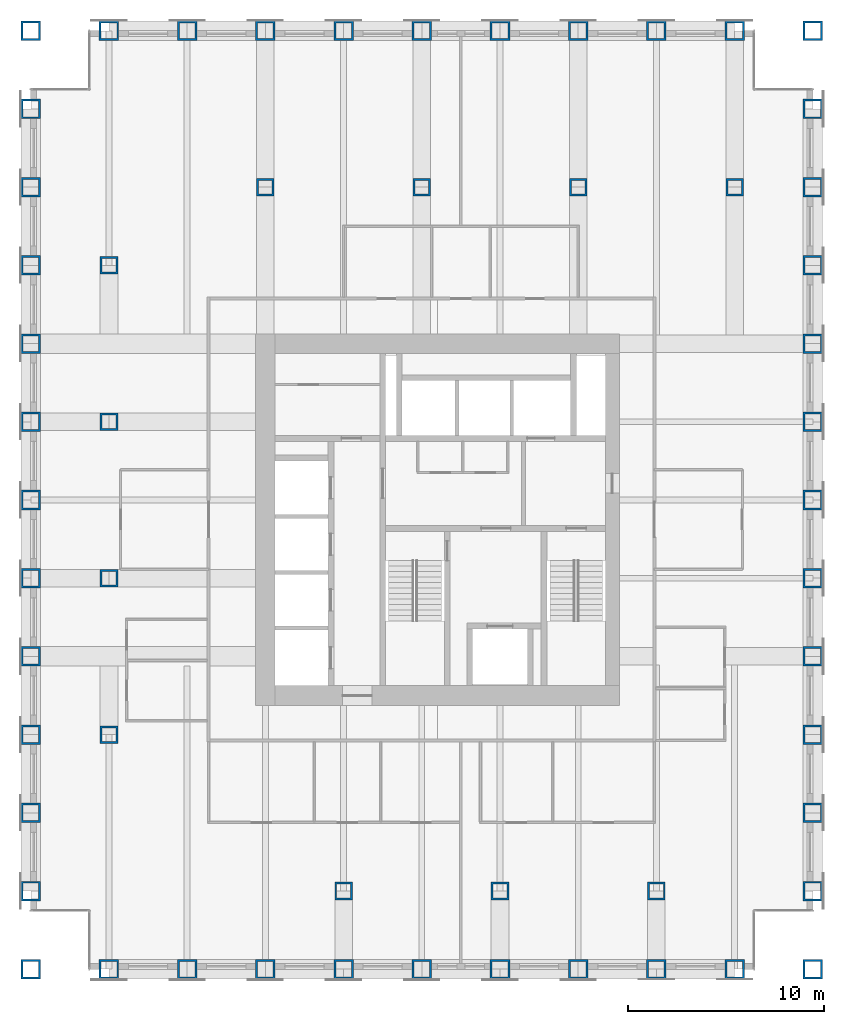
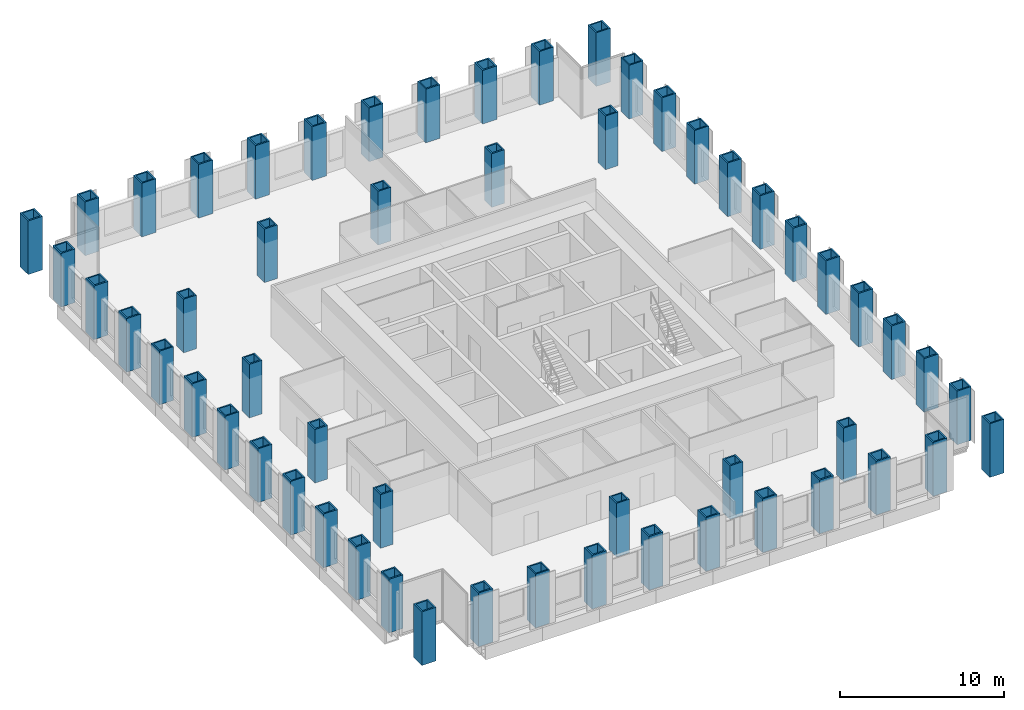
# One storey, part 1 of 12: 55 columns.
"""IFC4 building model written with IfcOpenShell, lengths in metres."""

from ifc_helpers import new_model, si_unit, direction, frame, origin, origin_2d, place, context, subcontext, project, spatial, hollow_rectangle, extrude, material, material_profile, profile_set, type_object, element, save


model = new_model("IFC4")

# Units and contexts
model_context = context("Model", 3, precision=1e-05, world=origin(), true_north=direction((0.0, 1.0)))
body_context = subcontext(model_context, "Body", "Model", "MODEL_VIEW")
ifc_project = project(units=[si_unit("LENGTHUNIT", "METRE"), si_unit("AREAUNIT", "SQUARE_METRE"), si_unit("VOLUMEUNIT", "CUBIC_METRE"), si_unit("PLANEANGLEUNIT", "RADIAN"), si_unit("MASSUNIT", "GRAM", prefix="KILO")], contexts=[model_context])

# Site, building, storey
site_placement = place(None, origin())
site = spatial("IfcSite", under=ifc_project, at=site_placement, CompositionType="ELEMENT")
building_placement = place(site_placement, origin())
building = spatial("IfcBuilding", under=site, at=building_placement, Name="Rimbunsela Tower", CompositionType="ELEMENT")
storey_placement = place(building_placement, frame((0.0, 0.0, 155.800048828125)))
storey = spatial("IfcBuildingStorey", under=building, at=storey_placement, Name="L37", CompositionType="ELEMENT", Elevation=155.800048828125)

# Columns
ifc_material_1 = material(Name="Steel BJ 55 (fy 410 MPa)", Category="steel")
ifc_material_profile_1 = material_profile(ifc_material_1, hollow_rectangle(XDim=1.0, YDim=1.0, WallThickness=0.10009765625, at=origin_2d()), Name="BOX 1000x1000x100")
ifc_profile_set_1 = profile_set([ifc_material_profile_1], Name="Steel BJ 55 (fy 410 MPa)")
column_type_1 = type_object("IfcColumnType", Name="Column BOX 1000x1000x100", PredefinedType="COLUMN", material=ifc_profile_set_1)
for number, where, z_axis, x_axis, name in (
    (1, (6.0, 4.0, 0.0), (0.0, 0.0, 1.0), (1.0, 0.0, 0.0), "Column C1 4/C L37"),
    (2, (6.0, 8.0, 0.0), (0.0, 0.0, 1.0), (1.0, 0.0, 0.0), "Column C1 4/D L37"),
    (3, (6.0, 12.0, 0.0), (0.0, 0.0, 1.0), (1.0, 0.0, 0.0), "Column C1 4/E L37"),
    (4, (6.0, 16.0, 0.0), (0.0, 0.0, 1.0), (1.0, 0.0, 0.0), "Column C1 4/F L37"),
    (5, (6.0, 20.0, 0.0), (0.0, 0.0, 1.0), (1.0, 0.0, 0.0), "Column C1 4/G L37"),
    (6, (6.0, 24.0, 0.0), (0.0, 0.0, 1.0), (1.0, 0.0, 0.0), "Column C1 4/H L37"),
    (7, (6.0, 28.0, 0.0), (0.0, 0.0, 1.0), (1.0, 0.0, 0.0), "Column C1 4/J L37"),
    (8, (6.0, 32.0, 0.0), (0.0, 0.0, 1.0), (1.0, 0.0, 0.0), "Column C1 4/K L37"),
    (9, (6.0, 36.0, 0.0), (0.0, 0.0, 1.0), (1.0, 0.0, 0.0), "Column C1 4/L L37"),
    (10, (6.0, 40.0, 0.0), (0.0, 0.0, 1.0), (1.0, 0.0, 0.0), "Column C1 4/M L37"),
    (11, (6.0, 44.0, 0.0), (0.0, 0.0, 1.0), (1.0, 0.0, 0.0), "Column C1 4/N L37"),
    (12, (6.0, 48.0, 0.0), (0.0, 0.0, 1.0), (1.0, 0.0, 0.0), "Column C1 4/P L37"),
    (13, (6.0, 52.0, 0.0), (0.0, 0.0, 1.0), (1.0, 0.0, 0.0), "Column C1 4/Q L37"),
    (14, (10.0, 4.0, 0.0), (0.0, 0.0, 1.0), (1.0, 0.0, 0.0), "Column C1 5/C L37"),
    (15, (10.0, 52.0, 0.0), (0.0, 0.0, 1.0), (1.0, 0.0, 0.0), "Column C1 5/Q L37"),
    (16, (14.0, 4.0, 0.0), (0.0, 0.0, 1.0), (1.0, 0.0, 0.0), "Column C1 6/C L37"),
    (17, (14.0, 52.0, 0.0), (0.0, 0.0, 1.0), (1.0, 0.0, 0.0), "Column C1 6/Q L37"),
    (18, (18.0, 4.0, 0.0), (0.0, 0.0, 1.0), (1.0, 0.0, 0.0), "Column C1 7/C L37"),
    (19, (18.0, 52.0, 0.0), (0.0, 0.0, 1.0), (1.0, 0.0, 0.0), "Column C1 7/Q L37"),
    (20, (22.0, 4.0, 0.0), (0.0, 0.0, 1.0), (1.0, 0.0, 0.0), "Column C1 8/C L37"),
    (21, (22.0, 52.0, 0.0), (0.0, 0.0, 1.0), (1.0, 0.0, 0.0), "Column C1 8/Q L37"),
    (22, (26.0, 4.0, 0.0), (0.0, 0.0, 1.0), (1.0, 0.0, 0.0), "Column C1 9/C L37"),
    (23, (26.0, 52.0, 0.0), (0.0, 0.0, 1.0), (1.0, 0.0, 0.0), "Column C1 9/Q L37"),
    (24, (30.0, 4.0, 0.0), (0.0, 0.0, 1.0), (1.0, 0.0, 0.0), "Column C1 10/C L37"),
    (25, (30.0, 52.0, 0.0), (0.0, 0.0, 1.0), (1.0, 0.0, 0.0), "Column C1 10/Q L37"),
    (26, (34.0, 4.0, 0.0), (0.0, 0.0, 1.0), (1.0, 0.0, 0.0), "Column C1 11/C L37"),
    (27, (34.0, 52.0, 0.0), (0.0, 0.0, 1.0), (1.0, 0.0, 0.0), "Column C1 11/Q L37"),
    (28, (38.0, 4.0, 0.0), (0.0, 0.0, 1.0), (1.0, 0.0, 0.0), "Column C1 12/C L37"),
    (29, (38.0, 52.0, 0.0), (0.0, 0.0, 1.0), (1.0, 0.0, 0.0), "Column C1 12/Q L37"),
    (30, (42.0, 4.0, 0.0), (0.0, 0.0, 1.0), (1.0, 0.0, 0.0), "Column C1 13/C L37"),
    (31, (42.0, 52.0, 0.0), (0.0, 0.0, 1.0), (1.0, 0.0, 0.0), "Column C1 13/Q L37"),
    (32, (46.0, 4.0, 0.0), (0.0, 0.0, 1.0), (1.0, 0.0, 0.0), "Column C1 14/C L37"),
    (33, (46.0, 8.0, 0.0), (0.0, 0.0, 1.0), (1.0, 0.0, 0.0), "Column C1 14/D L37"),
    (34, (46.0, 12.0, 0.0), (0.0, 0.0, 1.0), (1.0, 0.0, 0.0), "Column C1 14/E L37"),
    (35, (46.0, 16.0, 0.0), (0.0, 0.0, 1.0), (1.0, 0.0, 0.0), "Column C1 14/F L37"),
    (36, (46.0, 20.0, 0.0), (0.0, 0.0, 1.0), (1.0, 0.0, 0.0), "Column C1 14/G L37"),
    (37, (46.0, 24.0, 0.0), (0.0, 0.0, 1.0), (1.0, 0.0, 0.0), "Column C1 14/H L37"),
    (38, (46.0, 28.0, 0.0), (0.0, 0.0, 1.0), (1.0, 0.0, 0.0), "Column C1 14/J L37"),
    (39, (46.0, 32.0, 0.0), (0.0, 0.0, 1.0), (1.0, 0.0, 0.0), "Column C1 14/K L37"),
    (40, (46.0, 36.0, 0.0), (0.0, 0.0, 1.0), (1.0, 0.0, 0.0), "Column C1 14/L L37"),
    (41, (46.0, 40.0, 0.0), (0.0, 0.0, 1.0), (1.0, 0.0, 0.0), "Column C1 14/M L37"),
    (42, (46.0, 44.0, 0.0), (0.0, 0.0, 1.0), (1.0, 0.0, 0.0), "Column C1 14/N L37"),
    (43, (46.0, 48.0, 0.0), (0.0, 0.0, 1.0), (1.0, 0.0, 0.0), "Column C1 14/P L37"),
    (44, (46.0, 52.0, 0.0), (0.0, 0.0, 1.0), (1.0, 0.0, 0.0), "Column C1 14/Q L37"),
):
    element("IfcColumn", number, at=place(storey_placement, frame(where, z_axis=z_axis, x_axis=x_axis)), inside=storey, type_object=column_type_1, Name=name, PredefinedType="COLUMN", context=body_context, shape_type="SweptSolid", body=[
        extrude(hollow_rectangle(XDim=1.0, YDim=1.0, WallThickness=0.10009765625, at=origin_2d()), origin(), (0.0, 0.0, 1.0), 4.0),
    ])
ifc_material_2 = material(Name="Steel BJ 55 (fy 410 MPa)", Category="steel")
ifc_material_profile_2 = material_profile(ifc_material_2, hollow_rectangle(XDim=0.89990234375, YDim=0.89990234375, WallThickness=0.10009765625, at=origin_2d()), Name="BOX 900x900x100")
ifc_profile_set_2 = profile_set([ifc_material_profile_2], Name="Steel BJ 55 (fy 410 MPa)")
column_type_2 = type_object("IfcColumnType", Name="Column BOX 900x900x100", PredefinedType="COLUMN", material=ifc_profile_set_2)
for number, where, z_axis, x_axis, name in (
    (45, (10.0, 16.0, 0.0), (0.0, 0.0, 1.0), (1.0, 0.0, 0.0), "Column C5 5/F L37"),
    (46, (10.0, 24.0, 0.0), (0.0, 0.0, 1.0), (1.0, 0.0, 0.0), "Column C5 5/H L37"),
    (47, (10.0, 32.0, 0.0), (0.0, 0.0, 1.0), (1.0, 0.0, 0.0), "Column C5 5/K L37"),
    (48, (10.0, 40.0, 0.0), (0.0, 0.0, 1.0), (1.0, 0.0, 0.0), "Column C5 5/M L37"),
    (49, (18.0, 44.0, 0.0), (0.0, 0.0, 1.0), (1.0, 0.0, 0.0), "Column C5 7/N L37"),
    (50, (22.0, 8.0, 0.0), (0.0, 0.0, 1.0), (1.0, 0.0, 0.0), "Column C5 8/D L37"),
    (51, (26.0, 44.0, 0.0), (0.0, 0.0, 1.0), (1.0, 0.0, 0.0), "Column C5 9/N L37"),
    (52, (30.0, 8.0, 0.0), (0.0, 0.0, 1.0), (1.0, 0.0, 0.0), "Column C5 10/D L37"),
    (53, (34.0, 44.0, 0.0), (0.0, 0.0, 1.0), (1.0, 0.0, 0.0), "Column C5 11/N L37"),
    (54, (38.0, 8.0, 0.0), (0.0, 0.0, 1.0), (1.0, 0.0, 0.0), "Column C5 12/D L37"),
    (55, (42.0, 44.0, 0.0), (0.0, 0.0, 1.0), (1.0, 0.0, 0.0), "Column C5 13/N L37"),
):
    element("IfcColumn", number, at=place(storey_placement, frame(where, z_axis=z_axis, x_axis=x_axis)), inside=storey, type_object=column_type_2, Name=name, PredefinedType="COLUMN", context=body_context, shape_type="SweptSolid", body=[
        extrude(hollow_rectangle(XDim=0.89990234375, YDim=0.89990234375, WallThickness=0.10009765625, at=origin_2d()), origin(), (0.0, 0.0, 1.0), 4.0),
    ])

save(model, "model.ifc")
